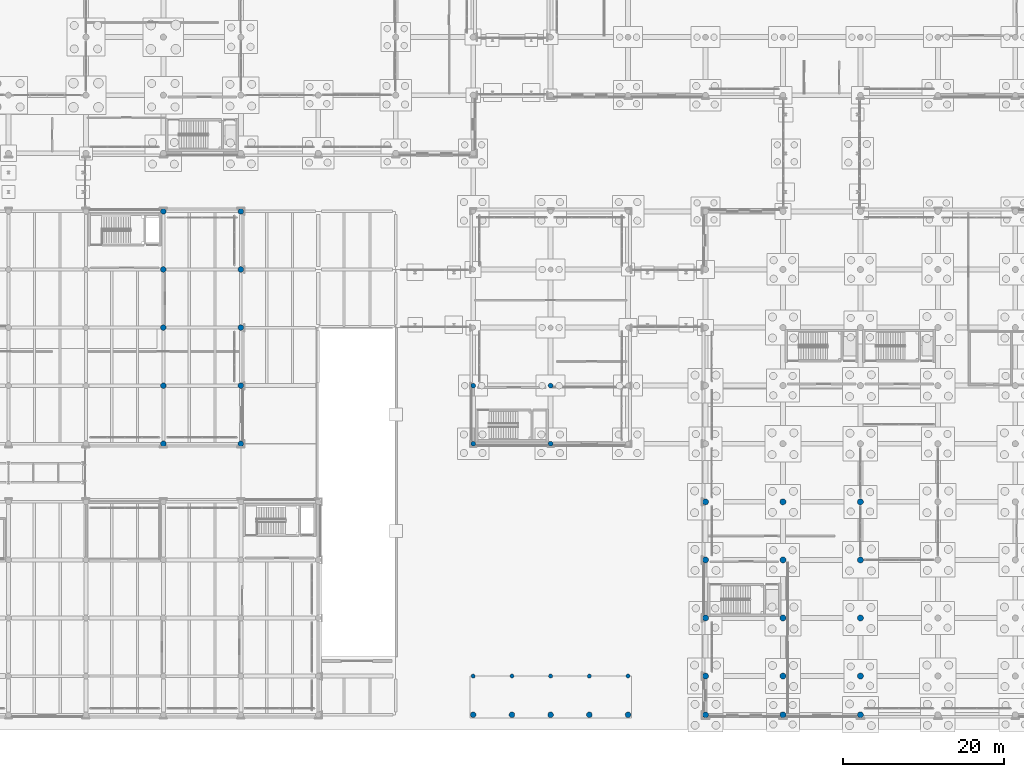
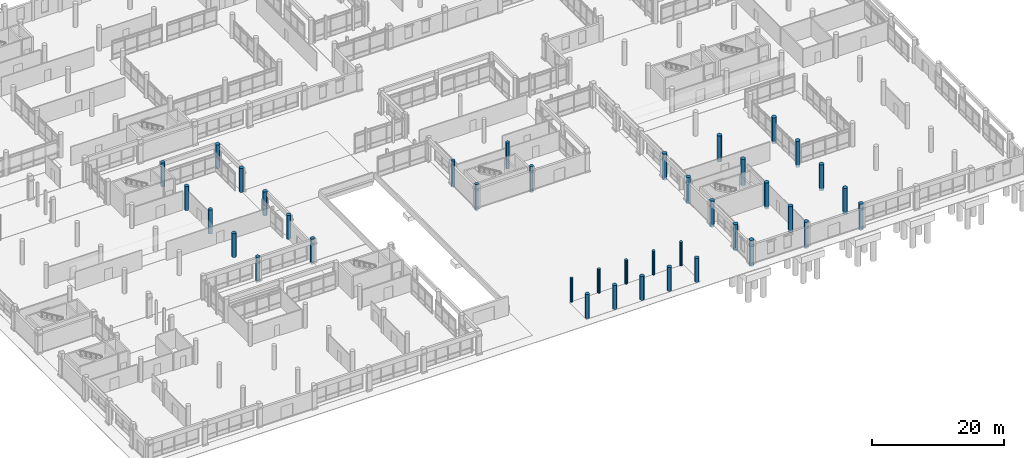
# One storey, part 13 of 196: 39 columns.
"""IFC4 building model written with IfcOpenShell, lengths in metres."""

import ifcopenshell
import ifcopenshell.guid

model = None  # the IFC model being written
_history = None  # IfcOwnerHistory: only IFC2X3 demands one
_inside = {}  # id of a spatial element -> (the spatial element, [elements in it])
_under = {}  # id of a project, library or spatial element -> (it, [spatial elements below it])
_declared = {}  # id of a project -> (the project, [libraries it declares])
_typed = {}  # id of a type object -> (the type object, [elements of that type])
_made_of = {}  # id of a material, layer set ... -> (it, [elements and type objects made of it])


def new_model(schema):
    """Start an empty IFC model of exactly this schema.

    Asked for "IFC4X3", IfcOpenShell would pick the latest addendum, in which some entities
    have other attributes; the version numbers below select the first issue.
    IFC2X3 requires an IfcOwnerHistory on every rooted entity: one is made here for all.
    """
    global model, _history
    if schema == "IFC4X3":
        model = ifcopenshell.file(schema_version=(4, 3, 0, 0))
    else:
        model = ifcopenshell.file(schema=schema)
    _inside.clear()
    _under.clear()
    _declared.clear()
    _typed.clear()
    _made_of.clear()
    _history = None
    if model.schema == "IFC2X3":
        org = make("IfcOrganization", Name="unknown")
        user = make(
            "IfcPersonAndOrganization",
            ThePerson=make("IfcPerson", FamilyName="unknown"),
            TheOrganization=org,
        )
        app = make(
            "IfcApplication",
            ApplicationDeveloper=org,
            Version="unknown",
            ApplicationFullName="unknown",
            ApplicationIdentifier="unknown",
        )
        _history = make(
            "IfcOwnerHistory",
            OwningUser=user,
            OwningApplication=app,
            ChangeAction="ADDED",
            CreationDate=0,
        )
    return model


def make(cls, **values):
    """One entity of the class cls with the attributes given. An attribute that is None is left unset."""
    return model.create_entity(
        cls, **{name: value for name, value in values.items() if value is not None}
    )


def rooted(cls, **values):
    """An entity with a GlobalId (a new one), such as an element, a storey or a relation."""
    return make(cls, GlobalId=ifcopenshell.guid.new(), OwnerHistory=_history, **values)


def si_unit(unit_type, name, prefix=None):
    """IfcSIUnit, for example si_unit("LENGTHUNIT", "METRE", prefix="MILLI")."""
    return make("IfcSIUnit", UnitType=unit_type, Prefix=prefix, Name=name)


def assignment(units):
    """IfcUnitAssignment: the units of a project."""
    return None if units is None else make("IfcUnitAssignment", Units=units)


def point(xyz):
    """IfcCartesianPoint."""
    return None if xyz is None else make("IfcCartesianPoint", Coordinates=xyz)


def direction(xyz):
    """IfcDirection."""
    return None if xyz is None else make("IfcDirection", DirectionRatios=xyz)


def frame(location, z_axis=None, x_axis=None):
    """IfcAxis2Placement3D, a coordinate frame: its origin and axes. An axis left out is left unset."""
    return make(
        "IfcAxis2Placement3D",
        Location=point(location),
        Axis=direction(z_axis),
        RefDirection=direction(x_axis),
    )


def frame_2d(location, x_axis=None):
    """IfcAxis2Placement2D, a coordinate frame in the plane: its origin and x axis."""
    return make(
        "IfcAxis2Placement2D", Location=point(location), RefDirection=direction(x_axis)
    )


def origin():
    """The frame at (0, 0, 0) with its axes left unset."""
    return frame((0.0, 0.0, 0.0))


def origin_2d():
    """The frame at (0, 0) in the plane with its x axis left unset."""
    return frame_2d((0.0, 0.0))


def place(relative_to, where):
    """IfcLocalPlacement: puts the frame where relative to a parent placement (None: the world)."""
    return make(
        "IfcLocalPlacement", PlacementRelTo=relative_to, RelativePlacement=where
    )


def context(
    kind, dimensions, precision=None, world=None, true_north=None, identifier=None
):
    """IfcGeometricRepresentationContext, for example the 3D "Model" context."""
    return make(
        "IfcGeometricRepresentationContext",
        ContextIdentifier=identifier,
        ContextType=kind,
        CoordinateSpaceDimension=dimensions,
        Precision=precision,
        WorldCoordinateSystem=world,
        TrueNorth=true_north,
    )


def subcontext(parent, identifier, kind, view, scale=None):
    """IfcGeometricRepresentationSubContext, for example "Body" below "Model"."""
    return make(
        "IfcGeometricRepresentationSubContext",
        ContextIdentifier=identifier,
        ContextType=kind,
        ParentContext=parent,
        TargetScale=scale,
        TargetView=view,
    )


def project(units=None, contexts=None):
    """IfcProject with its units and contexts."""
    return rooted(
        "IfcProject",
        Name="project",
        RepresentationContexts=contexts,
        UnitsInContext=assignment(units),
    )


def spatial(cls, under=None, at=None, **own):
    """A site, building, storey or space (cls), placed at a placement, below another one or the project."""
    s = rooted(cls, ObjectPlacement=at, **own)
    if under is not None:
        _under.setdefault(under.id(), (under, []))[1].append(s)
    return s


def profile(cls, at=None, kind="AREA", **sizes):
    """A parametric profile (cls). Its sizes go by their IFC names, for example OverallWidth=200.0."""
    return make(cls, ProfileType=kind, Position=at, **sizes)


def circle(**sizes):
    """IfcCircleProfileDef."""
    return profile("IfcCircleProfileDef", **sizes)


def extrude(swept, where, along, depth):
    """IfcExtrudedAreaSolid: the profile swept, set in the frame where, extruded along a direction by depth."""
    return make(
        "IfcExtrudedAreaSolid",
        SweptArea=swept,
        Position=where,
        ExtrudedDirection=direction(along),
        Depth=depth,
    )


def shape(context_of_items, identifier, shape_type, items):
    """IfcShapeRepresentation: the items that make up one representation, for example the "Body"."""
    return make(
        "IfcShapeRepresentation",
        ContextOfItems=context_of_items,
        RepresentationIdentifier=identifier,
        RepresentationType=shape_type,
        Items=items,
    )


def material(Name=None, Category=None):
    """IfcMaterial."""
    return make("IfcMaterial", Name=Name, Category=Category)


def material_profile(
    of_material, cross_section, Name=None, Category=None, Priority=None
):
    """IfcMaterialProfile: a cross section and its material."""
    return make(
        "IfcMaterialProfile",
        Name=Name,
        Material=of_material,
        Profile=cross_section,
        Priority=Priority,
        Category=Category,
    )


def profile_set(profiles, Name=None, composite=None):
    """IfcMaterialProfileSet."""
    return make(
        "IfcMaterialProfileSet",
        Name=Name,
        MaterialProfiles=profiles,
        CompositeProfile=composite,
    )


def made_of(thing, what):
    """Note that an element or type object is made of a material, layer set ...; save() writes the relation."""
    if what is not None:
        _made_of.setdefault(what.id(), (what, []))[1].append(thing)
    return thing


def type_object(cls, material=None, **own):
    """A type object (cls), such as IfcWallType, which elements share."""
    return made_of(rooted(cls, **own), material)


def element(
    cls,
    number,
    at=None,
    inside=None,
    cuts=None,
    type_object=None,
    material=None,
    context=None,
    identifier="Body",
    shape_type=None,
    held_by="IfcProductDefinitionShape",
    body=None,
    shapes=None,
    **own,
):
    """One element of the class cls, such as IfcWall. Its Tag is "e" and its number.

    at: its placement. inside: the storey or other place that contains it. cuts: it is an
    opening in that element (IfcRelVoidsElement). A single representation is given by context,
    identifier, shape_type and body (its items); several are given by shapes. held_by: the class
    of the entity that holds the representations. save() writes the other relations.
    """
    e = rooted(cls, Tag="e%d" % number, ObjectPlacement=at, **own)
    if body is not None:
        shapes = [shape(context, identifier, shape_type, body)]
    if shapes is not None:
        e.Representation = make(held_by, Representations=shapes)
    if inside is not None:
        _inside.setdefault(inside.id(), (inside, []))[1].append(e)
    if cuts is not None:
        rooted(
            "IfcRelVoidsElement", RelatingBuildingElement=cuts, RelatedOpeningElement=e
        )
    if type_object is not None:
        _typed.setdefault(type_object.id(), (type_object, []))[1].append(e)
    return made_of(e, material)


def aggregate(whole, parts):
    """IfcRelAggregates: a whole, such as a stair, and the parts it consists of."""
    return rooted("IfcRelAggregates", RelatingObject=whole, RelatedObjects=parts)


def save(model, path):
    """Write the relations noted so far, then the file.

    IfcRelAggregates (storeys below a building ...), IfcRelContainedInSpatialStructure (elements
    in a storey), IfcRelDefinesByType, IfcRelAssociatesMaterial and IfcRelDeclares: one each for
    every whole, place, type object, material and project.
    """
    for whole, parts in _under.values():
        aggregate(whole, parts)
    for where, things in _inside.values():
        rooted(
            "IfcRelContainedInSpatialStructure",
            RelatedElements=things,
            RelatingStructure=where,
        )
    for kind, things in _typed.values():
        rooted("IfcRelDefinesByType", RelatedObjects=things, RelatingType=kind)
    for what, things in _made_of.values():
        rooted("IfcRelAssociatesMaterial", RelatedObjects=things, RelatingMaterial=what)
    for by, libraries in _declared.values():
        rooted("IfcRelDeclares", RelatingContext=by, RelatedDefinitions=libraries)
    model.write(path)


model = new_model("IFC4")

# Units and contexts
model_context = context("Model", 3, precision=1e-05, world=origin(), true_north=direction((0.0, 1.0)))
body_context = subcontext(model_context, "Body", "Model", "MODEL_VIEW")
ifc_project = project(units=[si_unit("LENGTHUNIT", "METRE"), si_unit("AREAUNIT", "SQUARE_METRE"), si_unit("VOLUMEUNIT", "CUBIC_METRE"), si_unit("PLANEANGLEUNIT", "RADIAN"), si_unit("MASSUNIT", "GRAM", prefix="KILO")], contexts=[model_context])

# Site, building, storey
site_placement = place(None, origin())
site = spatial("IfcSite", under=ifc_project, at=site_placement, CompositionType="ELEMENT")
building_placement = place(site_placement, origin())
building = spatial("IfcBuilding", under=site, at=building_placement, Name="Asteropetra Specialist Clinic", CompositionType="ELEMENT")
storey_placement = place(building_placement, origin())
storey = spatial("IfcBuildingStorey", under=building, at=storey_placement, Name="L00", CompositionType="ELEMENT", Elevation=0.0)

# Columns
ifc_material_1 = material(Name="Concrete C35/45", Category="concrete")
ifc_material_profile_1 = material_profile(ifc_material_1, circle(Radius=0.35009765625, at=origin_2d()), Name="RCC D700")
ifc_profile_set_1 = profile_set([ifc_material_profile_1], Name="Concrete C35/45")
column_type_1 = type_object("IfcColumnType", Name="COL-DORIC700", PredefinedType="COLUMN", material=ifc_profile_set_1)
for number, where, z_axis, x_axis, name in (
    (1, (38.39990234375, 33.60009765625, 0.0), (0.0, 0.0, 1.0), (1.0, 0.0, 0.0), "Column CCOL13-0373"),
    (2, (38.39990234375, 40.800048828125, 0.0), (0.0, 0.0, 1.0), (1.0, 0.0, 0.0), "Column CCOL13-0378"),
    (3, (38.39990234375, 48.0, 0.0), (0.0, 0.0, 1.0), (1.0, 0.0, 0.0), "Column CCOL13-0383"),
    (4, (38.39990234375, 55.199951171875, 0.0), (0.0, 0.0, 1.0), (1.0, 0.0, 0.0), "Column CCOL13-0388"),
    (5, (38.39990234375, 62.39990234375, 0.0), (0.0, 0.0, 1.0), (1.0, 0.0, 0.0), "Column CCOL13-0393"),
    (6, (48.0, 33.60009765625, 0.0), (0.0, 0.0, 1.0), (1.0, 0.0, 0.0), "Column CCOL13-0453"),
    (7, (48.0, 40.800048828125, 0.0), (0.0, 0.0, 1.0), (1.0, 0.0, 0.0), "Column CCOL13-0456"),
    (8, (48.0, 48.0, 0.0), (0.0, 0.0, 1.0), (1.0, 0.0, 0.0), "Column CCOL13-0459"),
    (9, (48.0, 55.199951171875, 0.0), (0.0, 0.0, 1.0), (1.0, 0.0, 0.0), "Column CCOL13-0462"),
    (10, (48.0, 62.39990234375, 0.0), (0.0, 0.0, 1.0), (1.0, 0.0, 0.0), "Column CCOL13-0465"),
    (11, (76.800048828125, 0.0, 0.0), (0.0, 0.0, 1.0), (1.0, 0.0, 0.0), "Column CCOL13-0554"),
    (12, (81.60009765625, 0.0, 0.0), (0.0, 0.0, 1.0), (1.0, 0.0, 0.0), "Column CCOL13-0583"),
    (13, (86.39990234375, 0.0, 0.0), (0.0, 0.0, 1.0), (1.0, 0.0, 0.0), "Column CCOL13-0591"),
    (14, (91.199951171875, 0.0, 0.0), (0.0, 0.0, 1.0), (1.0, 0.0, 0.0), "Column CCOL13-0609"),
    (15, (96.0, 0.0, 0.0), (0.0, 0.0, 1.0), (1.0, 0.0, 0.0), "Column CCOL13-0613"),
):
    element("IfcColumn", number, at=place(storey_placement, frame(where, z_axis=z_axis, x_axis=x_axis)), inside=storey, type_object=column_type_1, Name=name, PredefinedType="COLUMN", context=body_context, shape_type="SweptSolid", body=[
        extrude(circle(Radius=0.35009765625, at=origin_2d()), origin(), (0.0, 0.0, 1.0), 4.419921875),
    ])
ifc_material_2 = material(Name="Concrete C35/45", Category="concrete")
ifc_material_profile_2 = material_profile(ifc_material_2, circle(Radius=0.375, at=origin_2d()), Name="RCC D750")
ifc_profile_set_2 = profile_set([ifc_material_profile_2], Name="Concrete C35/45")
column_type_2 = type_object("IfcColumnType", Name="COL-DORIC750", PredefinedType="COLUMN", material=ifc_profile_set_2)
for number, where, z_axis, x_axis, name in (
    (16, (105.60009765625, 0.0, -0.43994140625), (0.0, 0.0, 1.0), (1.0, 0.0, 0.0), "Column CCOL12-0634"),
    (17, (105.60009765625, 4.800048828125, -0.43994140625), (0.0, 0.0, 1.0), (1.0, 0.0, 0.0), "Column CCOL12-0639"),
    (18, (105.60009765625, 12.0, -0.43994140625), (0.0, 0.0, 1.0), (1.0, 0.0, 0.0), "Column CCOL12-0644"),
    (19, (105.60009765625, 19.199951171875, -0.43994140625), (0.0, 0.0, 1.0), (1.0, 0.0, 0.0), "Column CCOL12-0649"),
    (20, (105.60009765625, 26.39990234375, -0.43994140625), (0.0, 0.0, 1.0), (1.0, 0.0, 0.0), "Column CCOL12-0654"),
    (21, (115.199951171875, 0.0, -0.43994140625), (0.0, 0.0, 1.0), (1.0, 0.0, 0.0), "Column CCOL12-0684"),
    (22, (115.199951171875, 4.800048828125, -0.43994140625), (0.0, 0.0, 1.0), (1.0, 0.0, 0.0), "Column CCOL12-0689"),
    (23, (115.199951171875, 12.0, -0.43994140625), (0.0, 0.0, 1.0), (1.0, 0.0, 0.0), "Column CCOL12-0694"),
    (24, (115.199951171875, 19.199951171875, -0.43994140625), (0.0, 0.0, 1.0), (1.0, 0.0, 0.0), "Column CCOL12-0699"),
    (25, (115.199951171875, 26.39990234375, -0.43994140625), (0.0, 0.0, 1.0), (1.0, 0.0, 0.0), "Column CCOL12-0704"),
    (26, (124.800048828125, 0.0, -0.43994140625), (0.0, 0.0, 1.0), (1.0, 0.0, 0.0), "Column CCOL12-0746"),
    (27, (124.800048828125, 4.800048828125, -0.43994140625), (0.0, 0.0, 1.0), (1.0, 0.0, 0.0), "Column CCOL12-0751"),
    (28, (124.800048828125, 12.0, -0.43994140625), (0.0, 0.0, 1.0), (1.0, 0.0, 0.0), "Column CCOL12-0756"),
    (29, (124.800048828125, 19.199951171875, -0.43994140625), (0.0, 0.0, 1.0), (1.0, 0.0, 0.0), "Column CCOL12-0761"),
    (30, (124.800048828125, 26.39990234375, -0.43994140625), (0.0, 0.0, 1.0), (1.0, 0.0, 0.0), "Column CCOL12-0766"),
):
    element("IfcColumn", number, at=place(storey_placement, frame(where, z_axis=z_axis, x_axis=x_axis)), inside=storey, type_object=column_type_2, Name=name, PredefinedType="COLUMN", context=body_context, shape_type="SweptSolid", body=[
        extrude(circle(Radius=0.375, at=origin_2d()), origin(), (0.0, 0.0, 1.0), 4.85986328125),
    ])
ifc_material_3 = material(Name="Concrete C35/45", Category="concrete")
ifc_material_profile_3 = material_profile(ifc_material_3, circle(Radius=0.300048828125, at=origin_2d()), Name="RCC D600")
ifc_profile_set_3 = profile_set([ifc_material_profile_3], Name="Concrete C35/45")
column_type_3 = type_object("IfcColumnType", Name="COL-IONIC600", PredefinedType="COLUMN", material=ifc_profile_set_3)
for number, where, z_axis, x_axis, name in (
    (31, (76.800048828125, 33.60009765625, -0.43994140625), (0.0, 0.0, 1.0), (1.0, 0.0, 0.0), "Column CCOL14-0557"),
    (32, (76.800048828125, 40.800048828125, -0.43994140625), (0.0, 0.0, 1.0), (1.0, 0.0, 0.0), "Column CCOL14-0559"),
    (33, (86.39990234375, 33.60009765625, -0.43994140625), (0.0, 0.0, 1.0), (1.0, 0.0, 0.0), "Column CCOL14-0594"),
    (34, (86.39990234375, 40.800048828125, -0.43994140625), (0.0, 0.0, 1.0), (1.0, 0.0, 0.0), "Column CCOL14-0596"),
):
    element("IfcColumn", number, at=place(storey_placement, frame(where, z_axis=z_axis, x_axis=x_axis)), inside=storey, type_object=column_type_3, Name=name, PredefinedType="COLUMN", context=body_context, shape_type="SweptSolid", body=[
        extrude(circle(Radius=0.300048828125, at=origin_2d()), origin(), (0.0, 0.0, 1.0), 4.85986328125),
    ])
ifc_material_4 = material(Name="Concrete C35/45", Category="concrete")
ifc_material_profile_4 = material_profile(ifc_material_4, circle(Radius=0.25, at=origin_2d()), Name="RCC D500")
ifc_profile_set_4 = profile_set([ifc_material_profile_4], Name="Concrete C35/45")
column_type_4 = type_object("IfcColumnType", Name="COL-STOA500", PredefinedType="COLUMN", material=ifc_profile_set_4)
for number, where, z_axis, x_axis, name in (
    (35, (76.800048828125, 4.800048828125, 0.0), (0.0, 0.0, 1.0), (1.0, 0.0, 0.0), "Column CCOL15-0556"),
    (36, (81.60009765625, 4.800048828125, 0.0), (0.0, 0.0, 1.0), (1.0, 0.0, 0.0), "Column CCOL15-0585"),
    (37, (86.39990234375, 4.800048828125, 0.0), (0.0, 0.0, 1.0), (1.0, 0.0, 0.0), "Column CCOL15-0593"),
    (38, (91.199951171875, 4.800048828125, 0.0), (0.0, 0.0, 1.0), (1.0, 0.0, 0.0), "Column CCOL15-0611"),
    (39, (96.0, 4.800048828125, 0.0), (0.0, 0.0, 1.0), (1.0, 0.0, 0.0), "Column CCOL15-0615"),
):
    element("IfcColumn", number, at=place(storey_placement, frame(where, z_axis=z_axis, x_axis=x_axis)), inside=storey, type_object=column_type_4, Name=name, PredefinedType="COLUMN", context=body_context, shape_type="SweptSolid", body=[
        extrude(circle(Radius=0.25, at=origin_2d()), origin(), (0.0, 0.0, 1.0), 4.419921875),
    ])

save(model, "model.ifc")
